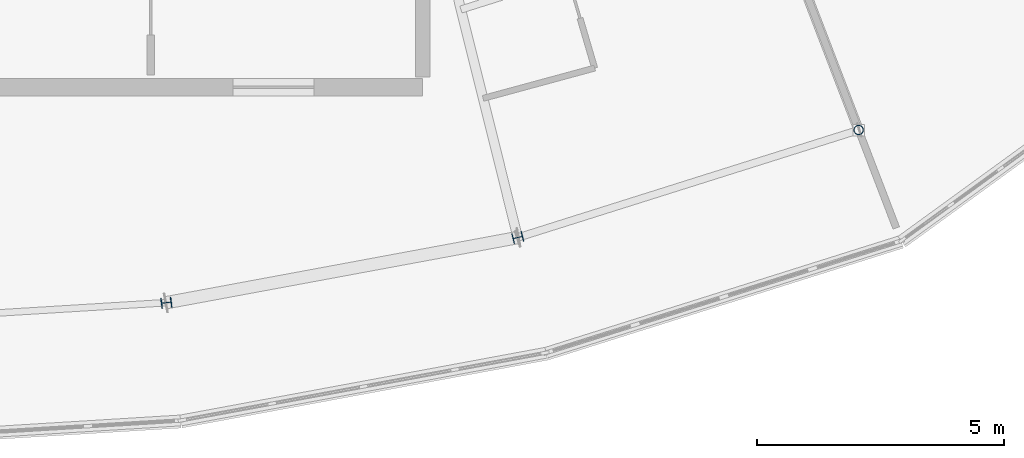
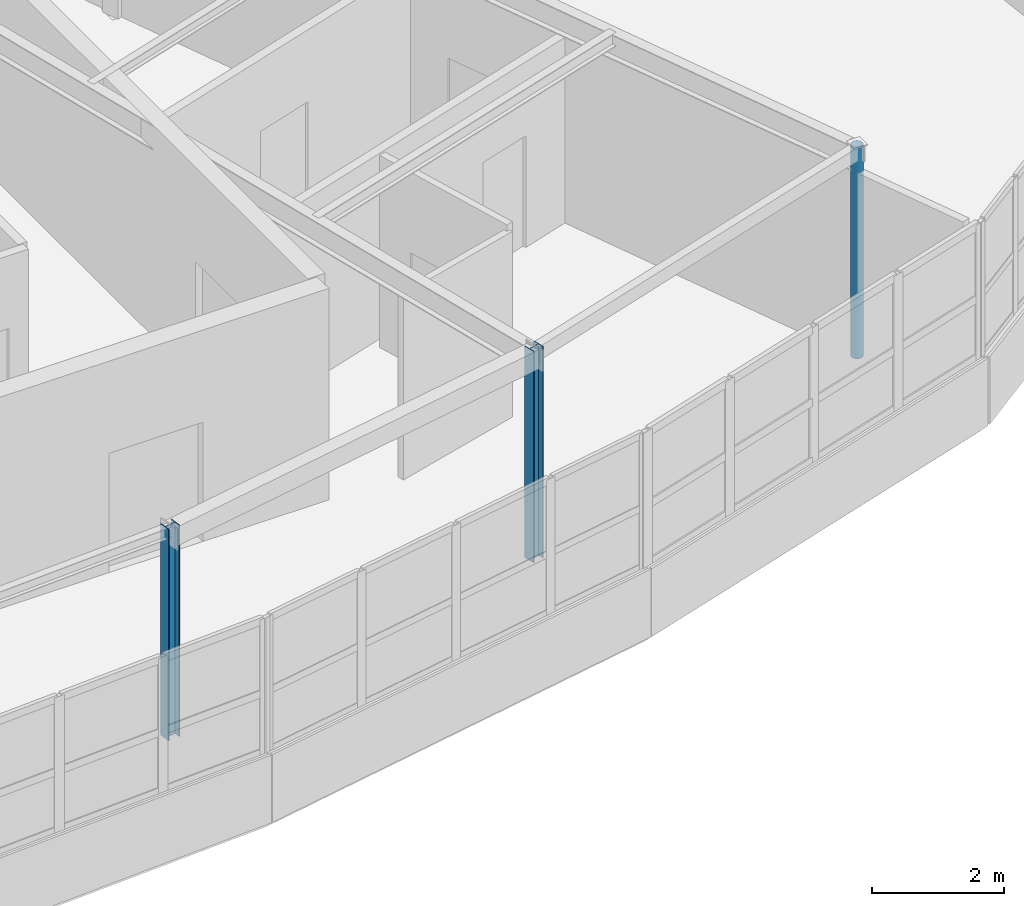
# One storey, part 4 of 60: 3 columns.
"""IFC4 building model written with IfcOpenShell, lengths in metres."""

import ifcopenshell
import ifcopenshell.guid

model = None  # the IFC model being written
_history = None  # IfcOwnerHistory: only IFC2X3 demands one
_inside = {}  # id of a spatial element -> (the spatial element, [elements in it])
_under = {}  # id of a project, library or spatial element -> (it, [spatial elements below it])
_declared = {}  # id of a project -> (the project, [libraries it declares])
_typed = {}  # id of a type object -> (the type object, [elements of that type])
_made_of = {}  # id of a material, layer set ... -> (it, [elements and type objects made of it])


def new_model(schema):
    """Start an empty IFC model of exactly this schema.

    Asked for "IFC4X3", IfcOpenShell would pick the latest addendum, in which some entities
    have other attributes; the version numbers below select the first issue.
    IFC2X3 requires an IfcOwnerHistory on every rooted entity: one is made here for all.
    """
    global model, _history
    if schema == "IFC4X3":
        model = ifcopenshell.file(schema_version=(4, 3, 0, 0))
    else:
        model = ifcopenshell.file(schema=schema)
    _inside.clear()
    _under.clear()
    _declared.clear()
    _typed.clear()
    _made_of.clear()
    _history = None
    if model.schema == "IFC2X3":
        org = make("IfcOrganization", Name="unknown")
        user = make(
            "IfcPersonAndOrganization",
            ThePerson=make("IfcPerson", FamilyName="unknown"),
            TheOrganization=org,
        )
        app = make(
            "IfcApplication",
            ApplicationDeveloper=org,
            Version="unknown",
            ApplicationFullName="unknown",
            ApplicationIdentifier="unknown",
        )
        _history = make(
            "IfcOwnerHistory",
            OwningUser=user,
            OwningApplication=app,
            ChangeAction="ADDED",
            CreationDate=0,
        )
    return model


def make(cls, **values):
    """One entity of the class cls with the attributes given. An attribute that is None is left unset."""
    return model.create_entity(
        cls, **{name: value for name, value in values.items() if value is not None}
    )


def rooted(cls, **values):
    """An entity with a GlobalId (a new one), such as an element, a storey or a relation."""
    return make(cls, GlobalId=ifcopenshell.guid.new(), OwnerHistory=_history, **values)


def si_unit(unit_type, name, prefix=None):
    """IfcSIUnit, for example si_unit("LENGTHUNIT", "METRE", prefix="MILLI")."""
    return make("IfcSIUnit", UnitType=unit_type, Prefix=prefix, Name=name)


def assignment(units):
    """IfcUnitAssignment: the units of a project."""
    return None if units is None else make("IfcUnitAssignment", Units=units)


def point(xyz):
    """IfcCartesianPoint."""
    return None if xyz is None else make("IfcCartesianPoint", Coordinates=xyz)


def direction(xyz):
    """IfcDirection."""
    return None if xyz is None else make("IfcDirection", DirectionRatios=xyz)


def frame(location, z_axis=None, x_axis=None):
    """IfcAxis2Placement3D, a coordinate frame: its origin and axes. An axis left out is left unset."""
    return make(
        "IfcAxis2Placement3D",
        Location=point(location),
        Axis=direction(z_axis),
        RefDirection=direction(x_axis),
    )


def frame_2d(location, x_axis=None):
    """IfcAxis2Placement2D, a coordinate frame in the plane: its origin and x axis."""
    return make(
        "IfcAxis2Placement2D", Location=point(location), RefDirection=direction(x_axis)
    )


def origin():
    """The frame at (0, 0, 0) with its axes left unset."""
    return frame((0.0, 0.0, 0.0))


def origin_2d():
    """The frame at (0, 0) in the plane with its x axis left unset."""
    return frame_2d((0.0, 0.0))


def place(relative_to, where):
    """IfcLocalPlacement: puts the frame where relative to a parent placement (None: the world)."""
    return make(
        "IfcLocalPlacement", PlacementRelTo=relative_to, RelativePlacement=where
    )


def context(
    kind, dimensions, precision=None, world=None, true_north=None, identifier=None
):
    """IfcGeometricRepresentationContext, for example the 3D "Model" context."""
    return make(
        "IfcGeometricRepresentationContext",
        ContextIdentifier=identifier,
        ContextType=kind,
        CoordinateSpaceDimension=dimensions,
        Precision=precision,
        WorldCoordinateSystem=world,
        TrueNorth=true_north,
    )


def subcontext(parent, identifier, kind, view, scale=None):
    """IfcGeometricRepresentationSubContext, for example "Body" below "Model"."""
    return make(
        "IfcGeometricRepresentationSubContext",
        ContextIdentifier=identifier,
        ContextType=kind,
        ParentContext=parent,
        TargetScale=scale,
        TargetView=view,
    )


def project(units=None, contexts=None):
    """IfcProject with its units and contexts."""
    return rooted(
        "IfcProject",
        Name="project",
        RepresentationContexts=contexts,
        UnitsInContext=assignment(units),
    )


def spatial(cls, under=None, at=None, **own):
    """A site, building, storey or space (cls), placed at a placement, below another one or the project."""
    s = rooted(cls, ObjectPlacement=at, **own)
    if under is not None:
        _under.setdefault(under.id(), (under, []))[1].append(s)
    return s


def profile(cls, at=None, kind="AREA", **sizes):
    """A parametric profile (cls). Its sizes go by their IFC names, for example OverallWidth=200.0."""
    return make(cls, ProfileType=kind, Position=at, **sizes)


def hollow_circle(**sizes):
    """IfcCircleHollowProfileDef."""
    return profile("IfcCircleHollowProfileDef", **sizes)


def i_section(**sizes):
    """IfcIShapeProfileDef."""
    return profile("IfcIShapeProfileDef", **sizes)


def extrude(swept, where, along, depth):
    """IfcExtrudedAreaSolid: the profile swept, set in the frame where, extruded along a direction by depth."""
    return make(
        "IfcExtrudedAreaSolid",
        SweptArea=swept,
        Position=where,
        ExtrudedDirection=direction(along),
        Depth=depth,
    )


def shape(context_of_items, identifier, shape_type, items):
    """IfcShapeRepresentation: the items that make up one representation, for example the "Body"."""
    return make(
        "IfcShapeRepresentation",
        ContextOfItems=context_of_items,
        RepresentationIdentifier=identifier,
        RepresentationType=shape_type,
        Items=items,
    )


def material(Name=None, Category=None):
    """IfcMaterial."""
    return make("IfcMaterial", Name=Name, Category=Category)


def material_profile(
    of_material, cross_section, Name=None, Category=None, Priority=None
):
    """IfcMaterialProfile: a cross section and its material."""
    return make(
        "IfcMaterialProfile",
        Name=Name,
        Material=of_material,
        Profile=cross_section,
        Priority=Priority,
        Category=Category,
    )


def profile_set(profiles, Name=None, composite=None):
    """IfcMaterialProfileSet."""
    return make(
        "IfcMaterialProfileSet",
        Name=Name,
        MaterialProfiles=profiles,
        CompositeProfile=composite,
    )


def made_of(thing, what):
    """Note that an element or type object is made of a material, layer set ...; save() writes the relation."""
    if what is not None:
        _made_of.setdefault(what.id(), (what, []))[1].append(thing)
    return thing


def type_object(cls, material=None, **own):
    """A type object (cls), such as IfcWallType, which elements share."""
    return made_of(rooted(cls, **own), material)


def element(
    cls,
    number,
    at=None,
    inside=None,
    cuts=None,
    type_object=None,
    material=None,
    context=None,
    identifier="Body",
    shape_type=None,
    held_by="IfcProductDefinitionShape",
    body=None,
    shapes=None,
    **own,
):
    """One element of the class cls, such as IfcWall. Its Tag is "e" and its number.

    at: its placement. inside: the storey or other place that contains it. cuts: it is an
    opening in that element (IfcRelVoidsElement). A single representation is given by context,
    identifier, shape_type and body (its items); several are given by shapes. held_by: the class
    of the entity that holds the representations. save() writes the other relations.
    """
    e = rooted(cls, Tag="e%d" % number, ObjectPlacement=at, **own)
    if body is not None:
        shapes = [shape(context, identifier, shape_type, body)]
    if shapes is not None:
        e.Representation = make(held_by, Representations=shapes)
    if inside is not None:
        _inside.setdefault(inside.id(), (inside, []))[1].append(e)
    if cuts is not None:
        rooted(
            "IfcRelVoidsElement", RelatingBuildingElement=cuts, RelatedOpeningElement=e
        )
    if type_object is not None:
        _typed.setdefault(type_object.id(), (type_object, []))[1].append(e)
    return made_of(e, material)


def aggregate(whole, parts):
    """IfcRelAggregates: a whole, such as a stair, and the parts it consists of."""
    return rooted("IfcRelAggregates", RelatingObject=whole, RelatedObjects=parts)


def save(model, path):
    """Write the relations noted so far, then the file.

    IfcRelAggregates (storeys below a building ...), IfcRelContainedInSpatialStructure (elements
    in a storey), IfcRelDefinesByType, IfcRelAssociatesMaterial and IfcRelDeclares: one each for
    every whole, place, type object, material and project.
    """
    for whole, parts in _under.values():
        aggregate(whole, parts)
    for where, things in _inside.values():
        rooted(
            "IfcRelContainedInSpatialStructure",
            RelatedElements=things,
            RelatingStructure=where,
        )
    for kind, things in _typed.values():
        rooted("IfcRelDefinesByType", RelatedObjects=things, RelatingType=kind)
    for what, things in _made_of.values():
        rooted("IfcRelAssociatesMaterial", RelatedObjects=things, RelatingMaterial=what)
    for by, libraries in _declared.values():
        rooted("IfcRelDeclares", RelatingContext=by, RelatedDefinitions=libraries)
    model.write(path)


model = new_model("IFC4")

# Units and contexts
model_context = context("Model", 3, precision=1e-05, world=origin(), true_north=direction((0.0, 1.0)))
body_context = subcontext(model_context, "Body", "Model", "MODEL_VIEW")
ifc_project = project(units=[si_unit("LENGTHUNIT", "METRE"), si_unit("AREAUNIT", "SQUARE_METRE"), si_unit("VOLUMEUNIT", "CUBIC_METRE"), si_unit("PLANEANGLEUNIT", "RADIAN"), si_unit("MASSUNIT", "GRAM", prefix="KILO")], contexts=[model_context])

# Site, building, storey
site_placement = place(None, origin())
site = spatial("IfcSite", under=ifc_project, at=site_placement, CompositionType="ELEMENT")
building_placement = place(site_placement, origin())
building = spatial("IfcBuilding", under=site, at=building_placement, Name="Tarnwether General Hospital", CompositionType="ELEMENT")
storey_placement = place(building_placement, frame((0.0, 0.0, 26.10009765625)))
storey = spatial("IfcBuildingStorey", under=building, at=storey_placement, Name="L06", CompositionType="ELEMENT", Elevation=26.10009765625)

# Columns
ifc_material_1 = material(Name="Steel Grade 350 (350 MPa)", Category="steel")
ifc_material_profile_1 = material_profile(ifc_material_1, i_section(OverallWidth=0.205078125, OverallDepth=0.2099609375, WebThickness=0.00927734375, FlangeThickness=0.01416015625, at=origin_2d()), Name="200UC59.5")
ifc_profile_set_1 = profile_set([ifc_material_profile_1], Name="Steel Grade 350 (350 MPa)")
column_type_1 = type_object("IfcColumnType", Name="COL-25", PredefinedType="COLUMN", material=ifc_profile_set_1)
column_1_placement = place(storey_placement, frame((99.215087890625, 4.240966796875, 0.0), z_axis=(0.0, 0.0, 1.0), x_axis=(-0.121869343405, 0.992546151641, 0.0)))
element("IfcColumn", 1, at=column_1_placement, inside=storey, type_object=column_type_1, Name="Column COLG-L06-9922_424", PredefinedType="COLUMN", context=body_context, shape_type="SweptSolid", body=[
    extrude(i_section(OverallWidth=0.205078125, OverallDepth=0.2099609375, WebThickness=0.00927734375, FlangeThickness=0.01416015625, at=origin_2d()), origin(), (0.0, 0.0, 1.0), 3.89990234375),
])
ifc_material_2 = material(Name="Steel Grade 350 (350 MPa)", Category="steel")
ifc_material_profile_2 = material_profile(ifc_material_2, i_section(OverallWidth=0.202880859375, OverallDepth=0.202880859375, WebThickness=0.00732421875, FlangeThickness=0.010986328125, at=origin_2d()), Name="200UC46.2")
ifc_profile_set_2 = profile_set([ifc_material_profile_2], Name="Steel Grade 350 (350 MPa)")
column_type_2 = type_object("IfcColumnType", Name="COL-27", PredefinedType="COLUMN", material=ifc_profile_set_2)
column_2_placement = place(storey_placement, frame((106.322021484375, 5.55810546875, 0.0), z_axis=(0.0, 0.0, 1.0), x_axis=(-0.2419218956, 0.970295726276, 0.0)))
element("IfcColumn", 2, at=column_2_placement, inside=storey, type_object=column_type_2, Name="Column COLG-L06-10632_556", PredefinedType="COLUMN", context=body_context, shape_type="SweptSolid", body=[
    extrude(i_section(OverallWidth=0.202880859375, OverallDepth=0.202880859375, WebThickness=0.00732421875, FlangeThickness=0.010986328125, at=origin_2d()), origin(), (0.0, 0.0, 1.0), 3.89990234375),
])
ifc_material_3 = material(Name="Steel Grade C350L0 (350 MPa)", Category="steel")
ifc_material_profile_3 = material_profile(ifc_material_3, hollow_circle(Radius=0.096923828125, WallThickness=0.008056640625, at=origin_2d()), Name="CHS193.7x8.0")
ifc_profile_set_3 = profile_set([ifc_material_profile_3], Name="Steel Grade C350L0 (350 MPa)")
column_type_3 = type_object("IfcColumnType", Name="COL-29", PredefinedType="COLUMN", material=ifc_profile_set_3)
column_3_placement = place(storey_placement, frame((113.215087890625, 7.73193359375, 0.0), z_axis=(0.0, 0.0, 1.0), x_axis=(-0.358367949545, 0.933580426497, 0.0)))
element("IfcColumn", 3, at=column_3_placement, inside=storey, type_object=column_type_3, Name="Column COLG-L06-11322_773", PredefinedType="COLUMN", context=body_context, shape_type="SweptSolid", body=[
    extrude(hollow_circle(Radius=0.096923828125, WallThickness=0.008056640625, at=origin_2d()), origin(), (0.0, 0.0, 1.0), 3.89990234375),
])

save(model, "model.ifc")
